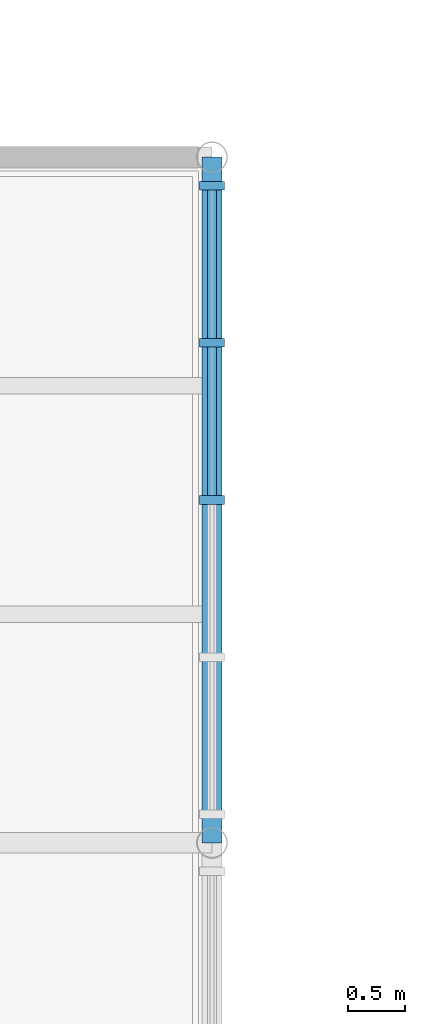
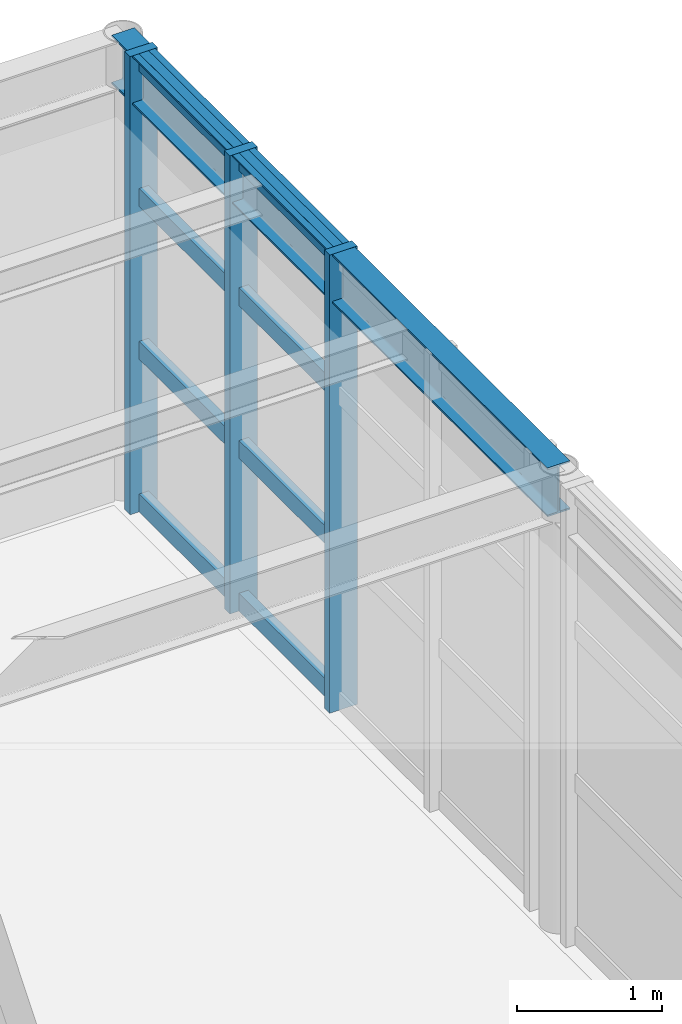
# One storey, part 11 of 21: 11 members, 1 beam, 1 element without a shape of its own.
"""IFC4 building model written with IfcOpenShell, lengths in metres."""

from ifc_helpers import new_model, si_unit, direction, frame, origin, origin_2d, place, context, subcontext, project, spatial, rectangle, i_section, extrude, material, layer, layer_set, material_profile, profile_set, type_object, element, aggregate, save


model = new_model("IFC4")

# Units and contexts
model_context = context("Model", 3, precision=1e-05, world=origin(), true_north=direction((0.0, 1.0)))
body_context = subcontext(model_context, "Body", "Model", "MODEL_VIEW")
ifc_project = project(units=[si_unit("LENGTHUNIT", "METRE"), si_unit("AREAUNIT", "SQUARE_METRE"), si_unit("VOLUMEUNIT", "CUBIC_METRE"), si_unit("PLANEANGLEUNIT", "RADIAN"), si_unit("MASSUNIT", "GRAM", prefix="KILO")], contexts=[model_context])

# Site, building, storey
site_placement = place(None, origin())
site = spatial("IfcSite", under=ifc_project, at=site_placement, CompositionType="ELEMENT")
building_placement = place(site_placement, origin())
building = spatial("IfcBuilding", under=site, at=building_placement, Name="Sitalva Quay Ferry Terminal", CompositionType="ELEMENT")
storey_placement = place(building_placement, frame((0.0, 0.0, 14.39990234375)))
storey = spatial("IfcBuildingStorey", under=building, at=storey_placement, Name="L04", CompositionType="ELEMENT", Elevation=14.39990234375)

# Beam
ifc_material_1 = material(Name="Structural Steel S355JR", Category="steel")
ifc_material_profile_1 = material_profile(ifc_material_1, i_section(OverallWidth=0.178955078125, OverallDepth=0.409912109375, WebThickness=0.0087890625, FlangeThickness=0.014404296875, FilletRadius=0.012939453125, at=origin_2d()), Name="W410x67")
ifc_profile_set_1 = profile_set([ifc_material_profile_1], Name="Structural Steel S355JR")
beam_type = type_object("IfcBeamType", Name="Beam_W410x67", PredefinedType="BEAM", material=ifc_profile_set_1)
beam_placement = place(storey_placement, frame((126.0, 100.0, 3.64501953125), z_axis=(0.0, 1.0, 0.0), x_axis=(-1.0, 0.0, 0.0)))
element("IfcBeam", 1, at=beam_placement, inside=storey, type_object=beam_type, Name="L04 Primary Y girder 1393", PredefinedType="BEAM", context=body_context, shape_type="SweptSolid", body=[
    extrude(i_section(OverallWidth=0.178955078125, OverallDepth=0.409912109375, WebThickness=0.0087890625, FlangeThickness=0.014404296875, FilletRadius=0.012939453125, at=origin_2d()), origin(), (0.0, 0.0, 1.0), 6.0),
])

# Curtain wall, members
ifc_material_2 = material(Name="Anodised Aluminium & Low-E Glazing", Category="aluminium")
ifc_layer = layer(ifc_material_2, 0.159912109375)
ifc_layer_set = layer_set([ifc_layer], Name="Anodised Aluminium & Low-E Glazing")
curtain_wall_type = type_object("IfcCurtainWallType", Name="CW_Office_Unitised", PredefinedType="USERDEFINED", material=ifc_layer_set)
curtain_wall_placement = place(storey_placement, origin())
curtain_wall = element("IfcCurtainWall", 2, at=curtain_wall_placement, inside=storey, type_object=curtain_wall_type, Name="L04 pilotage east glazing (CW-L04-142)", ObjectType="CURTAIN_WALL", PredefinedType="USERDEFINED")
ifc_material_3 = material(Name="Anodised Aluminium 6063-T6", Category="aluminium")
ifc_material_profile_2 = material_profile(ifc_material_3, rectangle(XDim=0.074951171875, YDim=0.219970703125, at=origin_2d()), Name="ALU75x220")
ifc_profile_set_2 = profile_set([ifc_material_profile_2], Name="Anodised Aluminium 6063-T6")
member_type_1 = type_object("IfcMemberType", Name="Mullion_Alu_75x160", PredefinedType="MULLION", material=ifc_profile_set_2)
member_1_placement = place(storey_placement, frame((126.0, 103.0, 0.0), z_axis=(0.0, 0.0, 1.0), x_axis=(0.0, 1.0, 0.0)))
member_1 = element("IfcMember", 3, at=member_1_placement, type_object=member_type_1, Name="CW-L04-142-M2", PredefinedType="MULLION", context=body_context, shape_type="SweptSolid", body=[
    extrude(rectangle(XDim=0.074951171875, YDim=0.219970703125, at=origin_2d()), origin(), (0.0, 0.0, 1.0), 3.85009765625),
])
member_2_placement = place(storey_placement, frame((126.0, 104.375, 0.0), z_axis=(0.0, 0.0, 1.0), x_axis=(0.0, 1.0, 0.0)))
member_2 = element("IfcMember", 4, at=member_2_placement, type_object=member_type_1, Name="CW-L04-142-M3", PredefinedType="MULLION", context=body_context, shape_type="SweptSolid", body=[
    extrude(rectangle(XDim=0.074951171875, YDim=0.219970703125, at=origin_2d()), origin(), (0.0, 0.0, 1.0), 3.85009765625),
])
member_3_placement = place(storey_placement, frame((126.0, 105.75, 0.0), z_axis=(0.0, 0.0, 1.0), x_axis=(0.0, 1.0, 0.0)))
member_3 = element("IfcMember", 5, at=member_3_placement, type_object=member_type_1, Name="CW-L04-142-M4", PredefinedType="MULLION", context=body_context, shape_type="SweptSolid", body=[
    extrude(rectangle(XDim=0.074951171875, YDim=0.219970703125, at=origin_2d()), origin(), (0.0, 0.0, 1.0), 3.85009765625),
])
ifc_material_4 = material(Name="Anodised Aluminium 6063-T6", Category="aluminium")
ifc_material_profile_3 = material_profile(ifc_material_4, rectangle(XDim=0.074951171875, YDim=0.14990234375, at=origin_2d()), Name="ALU75x150")
ifc_profile_set_3 = profile_set([ifc_material_profile_3], Name="Anodised Aluminium 6063-T6")
member_type_2 = type_object("IfcMemberType", Name="Transom_Alu_75x140", PredefinedType="MULLION", material=ifc_profile_set_3)
member_4_placement = place(storey_placement, frame((126.0, 103.03759765625, 0.0751953125), z_axis=(0.0, 1.0, 0.0), x_axis=(-1.0, 0.0, 0.0)))
member_4 = element("IfcMember", 6, at=member_4_placement, type_object=member_type_2, Name="CW-L04-142-T2-0", ObjectType="TRANSOM", PredefinedType="USERDEFINED", context=body_context, shape_type="SweptSolid", body=[
    extrude(rectangle(XDim=0.074951171875, YDim=0.14990234375, at=origin_2d()), origin(), (0.0, 0.0, 1.0), 1.2998046875),
])
member_5_placement = place(storey_placement, frame((126.0, 103.03759765625, 1.3583984375), z_axis=(0.0, 1.0, 0.0), x_axis=(-1.0, 0.0, 0.0)))
member_5 = element("IfcMember", 7, at=member_5_placement, type_object=member_type_2, Name="CW-L04-142-T2-1", ObjectType="TRANSOM", PredefinedType="USERDEFINED", context=body_context, shape_type="SweptSolid", body=[
    extrude(rectangle(XDim=0.074951171875, YDim=0.14990234375, at=origin_2d()), origin(), (0.0, 0.0, 1.0), 1.2998046875),
])
member_6_placement = place(storey_placement, frame((126.0, 103.03759765625, 2.641845703125), z_axis=(0.0, 1.0, 0.0), x_axis=(-1.0, 0.0, 0.0)))
member_6 = element("IfcMember", 8, at=member_6_placement, type_object=member_type_2, Name="CW-L04-142-T2-2", ObjectType="TRANSOM", PredefinedType="USERDEFINED", context=body_context, shape_type="SweptSolid", body=[
    extrude(rectangle(XDim=0.074951171875, YDim=0.14990234375, at=origin_2d()), origin(), (0.0, 0.0, 1.0), 1.2998046875),
])
member_7_placement = place(storey_placement, frame((126.0, 103.03759765625, 3.775146484375), z_axis=(0.0, 1.0, 0.0), x_axis=(-1.0, 0.0, 0.0)))
member_7 = element("IfcMember", 9, at=member_7_placement, type_object=member_type_2, Name="CW-L04-142-T2-3", ObjectType="TRANSOM", PredefinedType="USERDEFINED", context=body_context, shape_type="SweptSolid", body=[
    extrude(rectangle(XDim=0.074951171875, YDim=0.14990234375, at=origin_2d()), origin(), (0.0, 0.0, 1.0), 1.2998046875),
])
member_8_placement = place(storey_placement, frame((126.0, 104.41259765625, 0.0751953125), z_axis=(0.0, 1.0, 0.0), x_axis=(-1.0, 0.0, 0.0)))
member_8 = element("IfcMember", 10, at=member_8_placement, type_object=member_type_2, Name="CW-L04-142-T3-0", ObjectType="TRANSOM", PredefinedType="USERDEFINED", context=body_context, shape_type="SweptSolid", body=[
    extrude(rectangle(XDim=0.074951171875, YDim=0.14990234375, at=origin_2d()), origin(), (0.0, 0.0, 1.0), 1.2998046875),
])
member_9_placement = place(storey_placement, frame((126.0, 104.41259765625, 1.3583984375), z_axis=(0.0, 1.0, 0.0), x_axis=(-1.0, 0.0, 0.0)))
member_9 = element("IfcMember", 11, at=member_9_placement, type_object=member_type_2, Name="CW-L04-142-T3-1", ObjectType="TRANSOM", PredefinedType="USERDEFINED", context=body_context, shape_type="SweptSolid", body=[
    extrude(rectangle(XDim=0.074951171875, YDim=0.14990234375, at=origin_2d()), origin(), (0.0, 0.0, 1.0), 1.2998046875),
])
member_10_placement = place(storey_placement, frame((126.0, 104.41259765625, 2.641845703125), z_axis=(0.0, 1.0, 0.0), x_axis=(-1.0, 0.0, 0.0)))
member_10 = element("IfcMember", 12, at=member_10_placement, type_object=member_type_2, Name="CW-L04-142-T3-2", ObjectType="TRANSOM", PredefinedType="USERDEFINED", context=body_context, shape_type="SweptSolid", body=[
    extrude(rectangle(XDim=0.074951171875, YDim=0.14990234375, at=origin_2d()), origin(), (0.0, 0.0, 1.0), 1.2998046875),
])
member_11_placement = place(storey_placement, frame((126.0, 104.41259765625, 3.775146484375), z_axis=(0.0, 1.0, 0.0), x_axis=(-1.0, 0.0, 0.0)))
member_11 = element("IfcMember", 13, at=member_11_placement, type_object=member_type_2, Name="CW-L04-142-T3-3", ObjectType="TRANSOM", PredefinedType="USERDEFINED", context=body_context, shape_type="SweptSolid", body=[
    extrude(rectangle(XDim=0.074951171875, YDim=0.14990234375, at=origin_2d()), origin(), (0.0, 0.0, 1.0), 1.2998046875),
])
aggregate(curtain_wall, [member_1, member_2, member_3, member_4, member_5, member_6, member_7, member_8, member_9, member_10, member_11])

save(model, "model.ifc")
